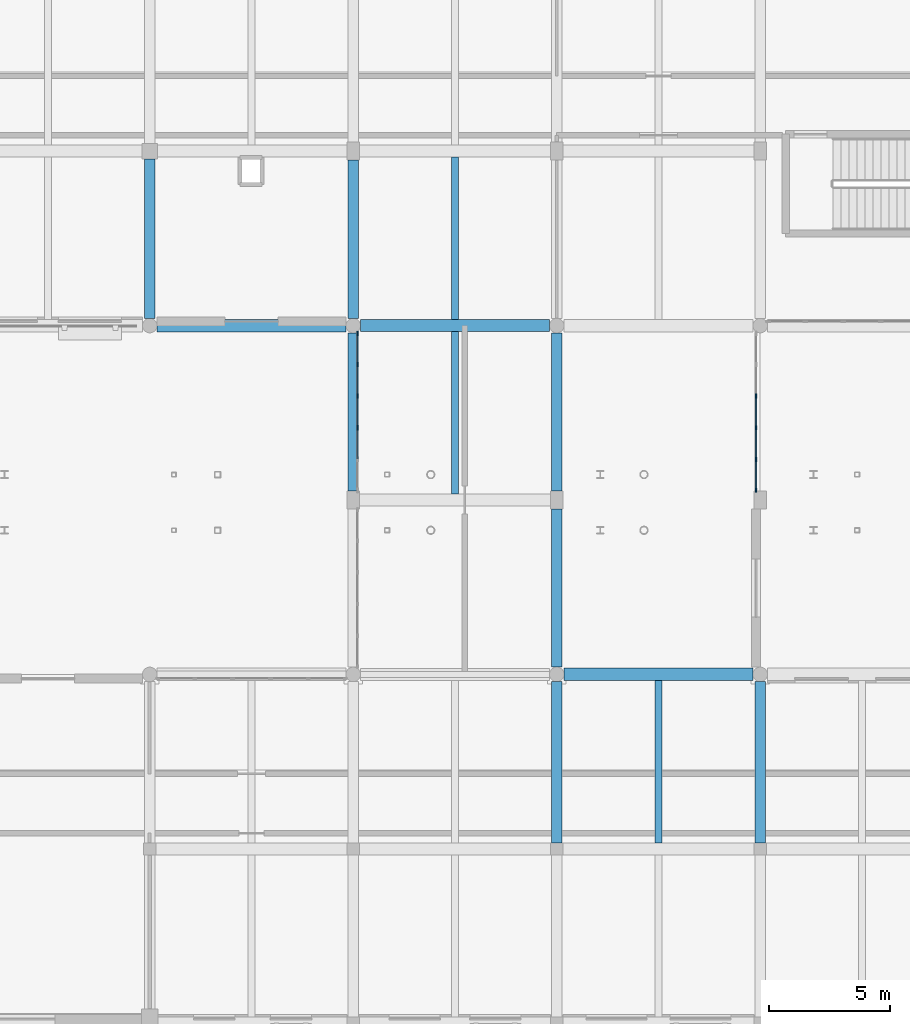
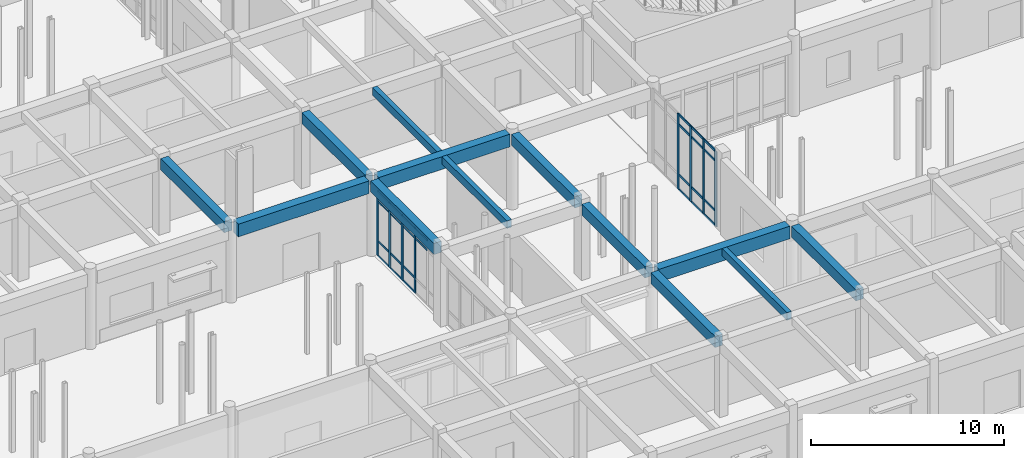
# One storey, part 39 of 121: 34 members, 13 beams, 2 elements without a shape of their own.
"""IFC4 building model written with IfcOpenShell, lengths in metres."""

from ifc_helpers import new_model, si_unit, direction, frame, origin, origin_2d, place, context, subcontext, project, spatial, rectangle, extrude, material, material_profile, profile_set, type_object, element, aggregate, save


model = new_model("IFC4")

# Units and contexts
model_context = context("Model", 3, precision=1e-05, world=origin(), true_north=direction((0.0, 1.0)))
body_context = subcontext(model_context, "Body", "Model", "MODEL_VIEW")
ifc_project = project(units=[si_unit("LENGTHUNIT", "METRE"), si_unit("AREAUNIT", "SQUARE_METRE"), si_unit("VOLUMEUNIT", "CUBIC_METRE"), si_unit("PLANEANGLEUNIT", "RADIAN"), si_unit("MASSUNIT", "GRAM", prefix="KILO")], contexts=[model_context])

# Site, building, storey
site_placement = place(None, origin())
site = spatial("IfcSite", under=ifc_project, at=site_placement, CompositionType="ELEMENT")
building_placement = place(site_placement, origin())
building = spatial("IfcBuilding", under=site, at=building_placement, Name="Malvenik Polytechnic", CompositionType="ELEMENT")
storey_placement = place(building_placement, origin())
storey = spatial("IfcBuildingStorey", under=building, at=storey_placement, Name="L00", CompositionType="ELEMENT", Elevation=0.0)

# Curtain wall, members
ifc_material_1 = material(Name="Anodised aluminium 6060-T6", Category="aluminium")
curtain_wall_type_1 = type_object("IfcCurtainWallType", Name="ARC-CW-CW-13", PredefinedType="NOTDEFINED", material=ifc_material_1)
curtain_wall_1_placement = place(storey_placement, origin())
curtain_wall_1 = element("IfcCurtainWall", 1, at=curtain_wall_1_placement, inside=storey, type_object=curtain_wall_type_1, Name="Unitised Curtain Wall CW-13 L00 #16", PredefinedType="NOTDEFINED")
ifc_material_2 = material(Name="Anodised aluminium", Category="aluminium")
ifc_material_profile_1 = material_profile(ifc_material_2, rectangle(XDim=0.06005859375, YDim=0.179931640625, at=origin_2d()), Name="ALU MULLION 60x180")
ifc_profile_set_1 = profile_set([ifc_material_profile_1], Name="Anodised aluminium")
member_type_1 = type_object("IfcMemberType", Name="ARC-CWM-180", PredefinedType="MULLION", material=ifc_profile_set_1)
member_1_placement = place(storey_placement, frame((92.22998046875, 47.490478515625, 0.0), z_axis=(0.0, 0.0, 1.0), x_axis=(1.0, 0.0, 0.0)))
member_1 = element("IfcMember", 2, at=member_1_placement, type_object=member_type_1, Name="CW-13 mullion 3", PredefinedType="MULLION", context=body_context, shape_type="SweptSolid", body=[
    extrude(rectangle(XDim=0.06005859375, YDim=0.179931640625, at=origin_2d()), origin(), (0.0, 0.0, 1.0), 4.760009765625),
])
member_2_placement = place(storey_placement, frame((92.22998046875, 46.1845703125, 0.0), z_axis=(0.0, 0.0, 1.0), x_axis=(1.0, 0.0, 0.0)))
member_2 = element("IfcMember", 3, at=member_2_placement, type_object=member_type_1, Name="CW-13 mullion 4", PredefinedType="MULLION", context=body_context, shape_type="SweptSolid", body=[
    extrude(rectangle(XDim=0.06005859375, YDim=0.179931640625, at=origin_2d()), origin(), (0.0, 0.0, 1.0), 4.760009765625),
])
member_3_placement = place(storey_placement, frame((92.22998046875, 44.87890625, 0.0), z_axis=(0.0, 0.0, 1.0), x_axis=(1.0, 0.0, 0.0)))
member_3 = element("IfcMember", 4, at=member_3_placement, type_object=member_type_1, Name="CW-13 mullion 5", PredefinedType="MULLION", context=body_context, shape_type="SweptSolid", body=[
    extrude(rectangle(XDim=0.06005859375, YDim=0.179931640625, at=origin_2d()), origin(), (0.0, 0.0, 1.0), 4.760009765625),
])
member_4_placement = place(storey_placement, frame((92.22998046875, 43.60302734375, 0.0), z_axis=(0.0, 0.0, 1.0), x_axis=(1.0, 0.0, 0.0)))
member_4 = element("IfcMember", 5, at=member_4_placement, type_object=member_type_1, Name="CW-13 mullion 6", PredefinedType="MULLION", context=body_context, shape_type="SweptSolid", body=[
    extrude(rectangle(XDim=0.06005859375, YDim=0.179931640625, at=origin_2d()), origin(), (0.0, 0.0, 1.0), 4.760009765625),
])

curtain_wall_type_2 = type_object("IfcCurtainWallType", Name="ARC-CW-CW-04", PredefinedType="NOTDEFINED", material=ifc_material_1)
curtain_wall_2_placement = place(storey_placement, origin())
curtain_wall_2 = element("IfcCurtainWall", 6, at=curtain_wall_2_placement, inside=storey, type_object=curtain_wall_type_2, Name="Unitised Curtain Wall CW-04 L00 #3", PredefinedType="NOTDEFINED")
ifc_material_profile_2 = material_profile(ifc_material_2, rectangle(XDim=0.06005859375, YDim=0.199951171875, at=origin_2d()), Name="ALU MULLION 60x200")
ifc_profile_set_2 = profile_set([ifc_material_profile_2], Name="Anodised aluminium")
member_type_2 = type_object("IfcMemberType", Name="ARC-CWM-200", PredefinedType="MULLION", material=ifc_profile_set_2)
member_5_placement = place(storey_placement, frame((75.77001953125, 46.1845703125, 0.0), z_axis=(0.0, 0.0, 1.0), x_axis=(-1.0, 0.0, 0.0)))
member_5 = element("IfcMember", 7, at=member_5_placement, type_object=member_type_2, Name="CW-04 mullion 3", PredefinedType="MULLION", context=body_context, shape_type="SweptSolid", body=[
    extrude(rectangle(XDim=0.06005859375, YDim=0.199951171875, at=origin_2d()), origin(), (0.0, 0.0, 1.0), 4.110107421875),
])
member_6_placement = place(storey_placement, frame((75.77001953125, 47.490478515625, 0.0), z_axis=(0.0, 0.0, 1.0), x_axis=(-1.0, 0.0, 0.0)))
member_6 = element("IfcMember", 8, at=member_6_placement, type_object=member_type_2, Name="CW-04 mullion 4", PredefinedType="MULLION", context=body_context, shape_type="SweptSolid", body=[
    extrude(rectangle(XDim=0.06005859375, YDim=0.199951171875, at=origin_2d()), origin(), (0.0, 0.0, 1.0), 4.110107421875),
])
member_7_placement = place(storey_placement, frame((75.77001953125, 48.796142578125, 0.0), z_axis=(0.0, 0.0, 1.0), x_axis=(-1.0, 0.0, 0.0)))
member_7 = element("IfcMember", 9, at=member_7_placement, type_object=member_type_2, Name="CW-04 mullion 5", PredefinedType="MULLION", context=body_context, shape_type="SweptSolid", body=[
    extrude(rectangle(XDim=0.06005859375, YDim=0.199951171875, at=origin_2d()), origin(), (0.0, 0.0, 1.0), 4.110107421875),
])
member_8_placement = place(storey_placement, frame((75.77001953125, 50.072021484375, 0.0), z_axis=(0.0, 0.0, 1.0), x_axis=(-1.0, 0.0, 0.0)))
member_8 = element("IfcMember", 10, at=member_8_placement, type_object=member_type_2, Name="CW-04 mullion 6", PredefinedType="MULLION", context=body_context, shape_type="SweptSolid", body=[
    extrude(rectangle(XDim=0.06005859375, YDim=0.199951171875, at=origin_2d()), origin(), (0.0, 0.0, 1.0), 4.110107421875),
])
ifc_material_profile_3 = material_profile(ifc_material_2, rectangle(XDim=0.06005859375, YDim=0.1201171875, at=origin_2d()), Name="ALU TRANSOM 60x120")
ifc_profile_set_3 = profile_set([ifc_material_profile_3], Name="Anodised aluminium")
member_type_3 = type_object("IfcMemberType", Name="ARC-CWT-120", PredefinedType="USERDEFINED", material=ifc_profile_set_3)
member_9_placement = place(storey_placement, frame((75.77001953125, 44.90869140625, 3.4599609375), z_axis=(0.0, 1.0, 0.0), x_axis=(-1.0, 0.0, 0.0)))
member_9 = element("IfcMember", 11, at=member_9_placement, type_object=member_type_3, Name="CW-04 transom 2.3", ObjectType="TRANSOM", PredefinedType="USERDEFINED", context=body_context, shape_type="SweptSolid", body=[
    extrude(rectangle(XDim=0.06005859375, YDim=0.1201171875, at=origin_2d()), origin(), (0.0, 0.0, 1.0), 1.245849609375),
])
member_10_placement = place(storey_placement, frame((75.77001953125, 44.90869140625, 4.080078125), z_axis=(0.0, 1.0, 0.0), x_axis=(-1.0, 0.0, 0.0)))
member_10 = element("IfcMember", 12, at=member_10_placement, type_object=member_type_3, Name="CW-04 transom 2.4", ObjectType="TRANSOM", PredefinedType="USERDEFINED", context=body_context, shape_type="SweptSolid", body=[
    extrude(rectangle(XDim=0.06005859375, YDim=0.1201171875, at=origin_2d()), origin(), (0.0, 0.0, 1.0), 1.245849609375),
])
member_11_placement = place(storey_placement, frame((75.77001953125, 46.214599609375, 0.030029296875), z_axis=(0.0, 1.0, 0.0), x_axis=(-1.0, 0.0, 0.0)))
member_11 = element("IfcMember", 13, at=member_11_placement, type_object=member_type_3, Name="CW-04 transom 3.1", ObjectType="TRANSOM", PredefinedType="USERDEFINED", context=body_context, shape_type="SweptSolid", body=[
    extrude(rectangle(XDim=0.06005859375, YDim=0.1201171875, at=origin_2d()), origin(), (0.0, 0.0, 1.0), 1.245849609375),
])
member_12_placement = place(storey_placement, frame((75.77001953125, 46.214599609375, 0.949951171875), z_axis=(0.0, 1.0, 0.0), x_axis=(-1.0, 0.0, 0.0)))
member_12 = element("IfcMember", 14, at=member_12_placement, type_object=member_type_3, Name="CW-04 transom 3.2", ObjectType="TRANSOM", PredefinedType="USERDEFINED", context=body_context, shape_type="SweptSolid", body=[
    extrude(rectangle(XDim=0.06005859375, YDim=0.1201171875, at=origin_2d()), origin(), (0.0, 0.0, 1.0), 1.245849609375),
])
member_13_placement = place(storey_placement, frame((75.77001953125, 46.214599609375, 3.4599609375), z_axis=(0.0, 1.0, 0.0), x_axis=(-1.0, 0.0, 0.0)))
member_13 = element("IfcMember", 15, at=member_13_placement, type_object=member_type_3, Name="CW-04 transom 3.3", ObjectType="TRANSOM", PredefinedType="USERDEFINED", context=body_context, shape_type="SweptSolid", body=[
    extrude(rectangle(XDim=0.06005859375, YDim=0.1201171875, at=origin_2d()), origin(), (0.0, 0.0, 1.0), 1.245849609375),
])
member_14_placement = place(storey_placement, frame((75.77001953125, 46.214599609375, 4.080078125), z_axis=(0.0, 1.0, 0.0), x_axis=(-1.0, 0.0, 0.0)))
member_14 = element("IfcMember", 16, at=member_14_placement, type_object=member_type_3, Name="CW-04 transom 3.4", ObjectType="TRANSOM", PredefinedType="USERDEFINED", context=body_context, shape_type="SweptSolid", body=[
    extrude(rectangle(XDim=0.06005859375, YDim=0.1201171875, at=origin_2d()), origin(), (0.0, 0.0, 1.0), 1.245849609375),
])
member_15_placement = place(storey_placement, frame((75.77001953125, 47.5205078125, 0.030029296875), z_axis=(0.0, 1.0, 0.0), x_axis=(-1.0, 0.0, 0.0)))
member_15 = element("IfcMember", 17, at=member_15_placement, type_object=member_type_3, Name="CW-04 transom 4.1", ObjectType="TRANSOM", PredefinedType="USERDEFINED", context=body_context, shape_type="SweptSolid", body=[
    extrude(rectangle(XDim=0.06005859375, YDim=0.1201171875, at=origin_2d()), origin(), (0.0, 0.0, 1.0), 1.24560546875),
])
member_16_placement = place(storey_placement, frame((75.77001953125, 47.5205078125, 0.949951171875), z_axis=(0.0, 1.0, 0.0), x_axis=(-1.0, 0.0, 0.0)))
member_16 = element("IfcMember", 18, at=member_16_placement, type_object=member_type_3, Name="CW-04 transom 4.2", ObjectType="TRANSOM", PredefinedType="USERDEFINED", context=body_context, shape_type="SweptSolid", body=[
    extrude(rectangle(XDim=0.06005859375, YDim=0.1201171875, at=origin_2d()), origin(), (0.0, 0.0, 1.0), 1.24560546875),
])
member_17_placement = place(storey_placement, frame((75.77001953125, 47.5205078125, 3.4599609375), z_axis=(0.0, 1.0, 0.0), x_axis=(-1.0, 0.0, 0.0)))
member_17 = element("IfcMember", 19, at=member_17_placement, type_object=member_type_3, Name="CW-04 transom 4.3", ObjectType="TRANSOM", PredefinedType="USERDEFINED", context=body_context, shape_type="SweptSolid", body=[
    extrude(rectangle(XDim=0.06005859375, YDim=0.1201171875, at=origin_2d()), origin(), (0.0, 0.0, 1.0), 1.24560546875),
])
member_18_placement = place(storey_placement, frame((75.77001953125, 47.5205078125, 4.080078125), z_axis=(0.0, 1.0, 0.0), x_axis=(-1.0, 0.0, 0.0)))
member_18 = element("IfcMember", 20, at=member_18_placement, type_object=member_type_3, Name="CW-04 transom 4.4", ObjectType="TRANSOM", PredefinedType="USERDEFINED", context=body_context, shape_type="SweptSolid", body=[
    extrude(rectangle(XDim=0.06005859375, YDim=0.1201171875, at=origin_2d()), origin(), (0.0, 0.0, 1.0), 1.24560546875),
])
member_19_placement = place(storey_placement, frame((75.77001953125, 48.826171875, 0.030029296875), z_axis=(0.0, 1.0, 0.0), x_axis=(-1.0, 0.0, 0.0)))
member_19 = element("IfcMember", 21, at=member_19_placement, type_object=member_type_3, Name="CW-04 transom 5.1", ObjectType="TRANSOM", PredefinedType="USERDEFINED", context=body_context, shape_type="SweptSolid", body=[
    extrude(rectangle(XDim=0.06005859375, YDim=0.1201171875, at=origin_2d()), origin(), (0.0, 0.0, 1.0), 1.2158203125),
])
member_20_placement = place(storey_placement, frame((75.77001953125, 48.826171875, 0.949951171875), z_axis=(0.0, 1.0, 0.0), x_axis=(-1.0, 0.0, 0.0)))
member_20 = element("IfcMember", 22, at=member_20_placement, type_object=member_type_3, Name="CW-04 transom 5.2", ObjectType="TRANSOM", PredefinedType="USERDEFINED", context=body_context, shape_type="SweptSolid", body=[
    extrude(rectangle(XDim=0.06005859375, YDim=0.1201171875, at=origin_2d()), origin(), (0.0, 0.0, 1.0), 1.2158203125),
])
member_21_placement = place(storey_placement, frame((75.77001953125, 48.826171875, 3.4599609375), z_axis=(0.0, 1.0, 0.0), x_axis=(-1.0, 0.0, 0.0)))
member_21 = element("IfcMember", 23, at=member_21_placement, type_object=member_type_3, Name="CW-04 transom 5.3", ObjectType="TRANSOM", PredefinedType="USERDEFINED", context=body_context, shape_type="SweptSolid", body=[
    extrude(rectangle(XDim=0.06005859375, YDim=0.1201171875, at=origin_2d()), origin(), (0.0, 0.0, 1.0), 1.2158203125),
])
member_22_placement = place(storey_placement, frame((75.77001953125, 48.826171875, 4.080078125), z_axis=(0.0, 1.0, 0.0), x_axis=(-1.0, 0.0, 0.0)))
member_22 = element("IfcMember", 24, at=member_22_placement, type_object=member_type_3, Name="CW-04 transom 5.4", ObjectType="TRANSOM", PredefinedType="USERDEFINED", context=body_context, shape_type="SweptSolid", body=[
    extrude(rectangle(XDim=0.06005859375, YDim=0.1201171875, at=origin_2d()), origin(), (0.0, 0.0, 1.0), 1.2158203125),
])
aggregate(curtain_wall_2, [member_5, member_6, member_7, member_8, member_9, member_10, member_11, member_12, member_13, member_14, member_15, member_16, member_17, member_18, member_19, member_20, member_21, member_22])

# Member
ifc_material_profile_4 = material_profile(ifc_material_2, rectangle(XDim=0.06005859375, YDim=0.139892578125, at=origin_2d()), Name="ALU TRANSOM 60x140")
ifc_profile_set_4 = profile_set([ifc_material_profile_4], Name="Anodised aluminium")
member_type_4 = type_object("IfcMemberType", Name="ARC-CWT-140", PredefinedType="USERDEFINED", material=ifc_profile_set_4)
member_23_placement = place(storey_placement, frame((92.22998046875, 47.46044921875, 0.030029296875), z_axis=(0.0, -1.0, 0.0), x_axis=(1.0, 0.0, 0.0)))
member_23 = element("IfcMember", 25, at=member_23_placement, type_object=member_type_4, Name="CW-13 transom 3.1", ObjectType="TRANSOM", PredefinedType="USERDEFINED", context=body_context, shape_type="SweptSolid", body=[
    extrude(rectangle(XDim=0.06005859375, YDim=0.139892578125, at=origin_2d()), origin(), (0.0, 0.0, 1.0), 1.245849609375),
])

member_24_placement = place(storey_placement, frame((92.22998046875, 47.46044921875, 0.949951171875), z_axis=(0.0, -1.0, 0.0), x_axis=(1.0, 0.0, 0.0)))
member_24 = element("IfcMember", 26, at=member_24_placement, type_object=member_type_4, Name="CW-13 transom 3.2", ObjectType="TRANSOM", PredefinedType="USERDEFINED", context=body_context, shape_type="SweptSolid", body=[
    extrude(rectangle(XDim=0.06005859375, YDim=0.139892578125, at=origin_2d()), origin(), (0.0, 0.0, 1.0), 1.245849609375),
])

member_25_placement = place(storey_placement, frame((92.22998046875, 47.46044921875, 4.110107421875), z_axis=(0.0, -1.0, 0.0), x_axis=(1.0, 0.0, 0.0)))
member_25 = element("IfcMember", 27, at=member_25_placement, type_object=member_type_4, Name="CW-13 transom 3.3", ObjectType="TRANSOM", PredefinedType="USERDEFINED", context=body_context, shape_type="SweptSolid", body=[
    extrude(rectangle(XDim=0.06005859375, YDim=0.139892578125, at=origin_2d()), origin(), (0.0, 0.0, 1.0), 1.245849609375),
])

member_26_placement = place(storey_placement, frame((92.22998046875, 47.46044921875, 4.72998046875), z_axis=(0.0, -1.0, 0.0), x_axis=(1.0, 0.0, 0.0)))
member_26 = element("IfcMember", 28, at=member_26_placement, type_object=member_type_4, Name="CW-13 transom 3.4", ObjectType="TRANSOM", PredefinedType="USERDEFINED", context=body_context, shape_type="SweptSolid", body=[
    extrude(rectangle(XDim=0.06005859375, YDim=0.139892578125, at=origin_2d()), origin(), (0.0, 0.0, 1.0), 1.245849609375),
])

member_27_placement = place(storey_placement, frame((92.22998046875, 46.154541015625, 0.030029296875), z_axis=(0.0, -1.0, 0.0), x_axis=(1.0, 0.0, 0.0)))
member_27 = element("IfcMember", 29, at=member_27_placement, type_object=member_type_4, Name="CW-13 transom 4.1", ObjectType="TRANSOM", PredefinedType="USERDEFINED", context=body_context, shape_type="SweptSolid", body=[
    extrude(rectangle(XDim=0.06005859375, YDim=0.139892578125, at=origin_2d()), origin(), (0.0, 0.0, 1.0), 1.245849609375),
])

member_28_placement = place(storey_placement, frame((92.22998046875, 46.154541015625, 0.949951171875), z_axis=(0.0, -1.0, 0.0), x_axis=(1.0, 0.0, 0.0)))
member_28 = element("IfcMember", 30, at=member_28_placement, type_object=member_type_4, Name="CW-13 transom 4.2", ObjectType="TRANSOM", PredefinedType="USERDEFINED", context=body_context, shape_type="SweptSolid", body=[
    extrude(rectangle(XDim=0.06005859375, YDim=0.139892578125, at=origin_2d()), origin(), (0.0, 0.0, 1.0), 1.245849609375),
])

member_29_placement = place(storey_placement, frame((92.22998046875, 46.154541015625, 4.110107421875), z_axis=(0.0, -1.0, 0.0), x_axis=(1.0, 0.0, 0.0)))
member_29 = element("IfcMember", 31, at=member_29_placement, type_object=member_type_4, Name="CW-13 transom 4.3", ObjectType="TRANSOM", PredefinedType="USERDEFINED", context=body_context, shape_type="SweptSolid", body=[
    extrude(rectangle(XDim=0.06005859375, YDim=0.139892578125, at=origin_2d()), origin(), (0.0, 0.0, 1.0), 1.245849609375),
])

member_30_placement = place(storey_placement, frame((92.22998046875, 46.154541015625, 4.72998046875), z_axis=(0.0, -1.0, 0.0), x_axis=(1.0, 0.0, 0.0)))
member_30 = element("IfcMember", 32, at=member_30_placement, type_object=member_type_4, Name="CW-13 transom 4.4", ObjectType="TRANSOM", PredefinedType="USERDEFINED", context=body_context, shape_type="SweptSolid", body=[
    extrude(rectangle(XDim=0.06005859375, YDim=0.139892578125, at=origin_2d()), origin(), (0.0, 0.0, 1.0), 1.245849609375),
])

member_31_placement = place(storey_placement, frame((92.22998046875, 44.848876953125, 0.030029296875), z_axis=(0.0, -1.0, 0.0), x_axis=(1.0, 0.0, 0.0)))
member_31 = element("IfcMember", 33, at=member_31_placement, type_object=member_type_4, Name="CW-13 transom 5.1", ObjectType="TRANSOM", PredefinedType="USERDEFINED", context=body_context, shape_type="SweptSolid", body=[
    extrude(rectangle(XDim=0.06005859375, YDim=0.139892578125, at=origin_2d()), origin(), (0.0, 0.0, 1.0), 1.2158203125),
])

member_32_placement = place(storey_placement, frame((92.22998046875, 44.848876953125, 0.949951171875), z_axis=(0.0, -1.0, 0.0), x_axis=(1.0, 0.0, 0.0)))
member_32 = element("IfcMember", 34, at=member_32_placement, type_object=member_type_4, Name="CW-13 transom 5.2", ObjectType="TRANSOM", PredefinedType="USERDEFINED", context=body_context, shape_type="SweptSolid", body=[
    extrude(rectangle(XDim=0.06005859375, YDim=0.139892578125, at=origin_2d()), origin(), (0.0, 0.0, 1.0), 1.2158203125),
])

member_33_placement = place(storey_placement, frame((92.22998046875, 44.848876953125, 4.110107421875), z_axis=(0.0, -1.0, 0.0), x_axis=(1.0, 0.0, 0.0)))
member_33 = element("IfcMember", 35, at=member_33_placement, type_object=member_type_4, Name="CW-13 transom 5.3", ObjectType="TRANSOM", PredefinedType="USERDEFINED", context=body_context, shape_type="SweptSolid", body=[
    extrude(rectangle(XDim=0.06005859375, YDim=0.139892578125, at=origin_2d()), origin(), (0.0, 0.0, 1.0), 1.2158203125),
])

member_34_placement = place(storey_placement, frame((92.22998046875, 44.848876953125, 4.72998046875), z_axis=(0.0, -1.0, 0.0), x_axis=(1.0, 0.0, 0.0)))
member_34 = element("IfcMember", 36, at=member_34_placement, type_object=member_type_4, Name="CW-13 transom 5.4", ObjectType="TRANSOM", PredefinedType="USERDEFINED", context=body_context, shape_type="SweptSolid", body=[
    extrude(rectangle(XDim=0.06005859375, YDim=0.139892578125, at=origin_2d()), origin(), (0.0, 0.0, 1.0), 1.2158203125),
])

aggregate(curtain_wall_1, [member_1, member_2, member_3, member_4, member_23, member_24, member_25, member_26, member_27, member_28, member_29, member_30, member_31, member_32, member_33, member_34])

# Beams
ifc_material_3 = material(Name="Concrete C35/45", Category="concrete")
ifc_material_profile_5 = material_profile(ifc_material_3, rectangle(XDim=0.5, YDim=0.800048828125, at=origin_2d()), Name="RC BM 500x800")
ifc_profile_set_5 = profile_set([ifc_material_profile_5], Name="Concrete C35/45")
beam_type_1 = type_object("IfcBeamType", Name="STR-BM-B-02", PredefinedType="BEAM", material=ifc_profile_set_5)
beam_1_placement = place(storey_placement, frame((75.89794921875, 50.39990234375, 4.419921875), z_axis=(1.0, 0.0, 0.0), x_axis=(0.0, 1.0, 0.0)))
element("IfcBeam", 37, at=beam_1_placement, inside=storey, type_object=beam_type_1, Name="Primary Beam B-02 L00 #578", PredefinedType="BEAM", context=body_context, shape_type="SweptSolid", body=[
    extrude(rectangle(XDim=0.5, YDim=0.800048828125, at=origin_2d()), origin(), (0.0, 0.0, 1.0), 7.803955078125),
])
ifc_material_profile_6 = material_profile(ifc_material_3, rectangle(XDim=0.449951171875, YDim=0.699951171875, at=origin_2d()), Name="RC BM 450x700")
ifc_profile_set_6 = profile_set([ifc_material_profile_6], Name="Concrete C35/45")
beam_type_2 = type_object("IfcBeamType", Name="STR-BM-B-04", PredefinedType="BEAM", material=ifc_profile_set_6)
beam_2_placement = place(storey_placement, frame((67.199951171875, 50.697998046875, 4.469970703125), z_axis=(0.0, 1.0, 0.0), x_axis=(-1.0, 0.0, 0.0)))
element("IfcBeam", 38, at=beam_2_placement, inside=storey, type_object=beam_type_2, Name="Transverse Beam B-04 L00 #760", PredefinedType="BEAM", context=body_context, shape_type="SweptSolid", body=[
    extrude(rectangle(XDim=0.449951171875, YDim=0.699951171875, at=origin_2d()), origin(), (0.0, 0.0, 1.0), 6.5791015625),
])
for number, where, z_axis, x_axis, name in (
    (39, (75.60009765625, 43.572998046875, 4.469970703125), (0.0, 1.0, 0.0), (-1.0, 0.0, 0.0), "Transverse Beam B-04 L00 #769"),
    (40, (75.60009765625, 50.697998046875, 4.469970703125), (0.0, 1.0, 0.0), (-1.0, 0.0, 0.0), "Transverse Beam B-04 L00 #770"),
):
    element("IfcBeam", number, at=place(storey_placement, frame(where, z_axis=z_axis, x_axis=x_axis)), inside=storey, type_object=beam_type_2, Name=name, PredefinedType="BEAM", context=body_context, shape_type="SweptSolid", body=[
        extrude(rectangle(XDim=0.449951171875, YDim=0.699951171875, at=origin_2d()), origin(), (0.0, 0.0, 1.0), 6.529052734375),
    ])
beam_3_placement = place(storey_placement, frame((84.0, 29.048095703125, 4.469970703125), z_axis=(0.0, 1.0, 0.0), x_axis=(-1.0, 0.0, 0.0)))
element("IfcBeam", 41, at=beam_3_placement, inside=storey, type_object=beam_type_2, Name="Transverse Beam B-04 L00 #780", PredefinedType="BEAM", context=body_context, shape_type="SweptSolid", body=[
    extrude(rectangle(XDim=0.449951171875, YDim=0.699951171875, at=origin_2d()), origin(), (0.0, 0.0, 1.0), 6.65380859375),
])
beam_4_placement = place(storey_placement, frame((84.0, 36.298095703125, 4.469970703125), z_axis=(0.0, 1.0, 0.0), x_axis=(-1.0, 0.0, 0.0)))
element("IfcBeam", 42, at=beam_4_placement, inside=storey, type_object=beam_type_2, Name="Transverse Beam B-04 L00 #781", PredefinedType="BEAM", context=body_context, shape_type="SweptSolid", body=[
    extrude(rectangle(XDim=0.449951171875, YDim=0.699951171875, at=origin_2d()), origin(), (0.0, 0.0, 1.0), 6.52880859375),
])
beam_5_placement = place(storey_placement, frame((84.0, 43.572998046875, 4.469970703125), z_axis=(0.0, 1.0, 0.0), x_axis=(-1.0, 0.0, 0.0)))
element("IfcBeam", 43, at=beam_5_placement, inside=storey, type_object=beam_type_2, Name="Transverse Beam B-04 L00 #782", PredefinedType="BEAM", context=body_context, shape_type="SweptSolid", body=[
    extrude(rectangle(XDim=0.449951171875, YDim=0.699951171875, at=origin_2d()), origin(), (0.0, 0.0, 1.0), 6.529052734375),
])
beam_6_placement = place(storey_placement, frame((92.39990234375, 29.048095703125, 4.469970703125), z_axis=(0.0, 1.0, 0.0), x_axis=(-1.0, 0.0, 0.0)))
element("IfcBeam", 44, at=beam_6_placement, inside=storey, type_object=beam_type_2, Name="Transverse Beam B-04 L00 #795", PredefinedType="BEAM", context=body_context, shape_type="SweptSolid", body=[
    extrude(rectangle(XDim=0.449951171875, YDim=0.699951171875, at=origin_2d()), origin(), (0.0, 0.0, 1.0), 6.65380859375),
])
ifc_material_4 = material(Name="Concrete C30/37", Category="concrete")
ifc_material_profile_7 = material_profile(ifc_material_4, rectangle(XDim=0.280029296875, YDim=0.47998046875, at=origin_2d()), Name="RC JST 280x480")
ifc_profile_set_7 = profile_set([ifc_material_profile_7], Name="Concrete C30/37")
beam_type_3 = type_object("IfcBeamType", Name="STR-BM-J-01", PredefinedType="JOIST", material=ifc_profile_set_7)
for number, where, z_axis, x_axis, name in (
    (45, (79.800048828125, 43.447998046875, 4.580078125), (0.0, 1.0, 0.0), (-1.0, 0.0, 0.0), "Secondary Rib Joist J-01 L00 #901"),
    (46, (79.800048828125, 50.64794921875, 4.580078125), (0.0, 1.0, 0.0), (-1.0, 0.0, 0.0), "Secondary Rib Joist J-01 L00 #902"),
):
    element("IfcBeam", number, at=place(storey_placement, frame(where, z_axis=z_axis, x_axis=x_axis)), inside=storey, type_object=beam_type_3, Name=name, PredefinedType="JOIST", context=body_context, shape_type="SweptSolid", body=[
        extrude(rectangle(XDim=0.280029296875, YDim=0.47998046875, at=origin_2d()), origin(), (0.0, 0.0, 1.0), 6.7041015625),
    ])
beam_7_placement = place(storey_placement, frame((88.199951171875, 29.048095703125, 4.580078125), z_axis=(0.0, 1.0, 0.0), x_axis=(-1.0, 0.0, 0.0)))
element("IfcBeam", 47, at=beam_7_placement, inside=storey, type_object=beam_type_3, Name="Secondary Rib Joist J-01 L00 #909", PredefinedType="JOIST", context=body_context, shape_type="SweptSolid", body=[
    extrude(rectangle(XDim=0.280029296875, YDim=0.47998046875, at=origin_2d()), origin(), (0.0, 0.0, 1.0), 6.69384765625),
])
ifc_material_5 = material(Name="Precast concrete C40/50", Category="concrete")
ifc_material_profile_8 = material_profile(ifc_material_5, rectangle(XDim=0.52001953125, YDim=0.800048828125, at=origin_2d()), Name="PC SPN 520x800")
ifc_profile_set_8 = profile_set([ifc_material_profile_8], Name="Precast concrete C40/50")
beam_type_4 = type_object("IfcBeamType", Name="STR-BM-SP-01", PredefinedType="SPANDREL", material=ifc_profile_set_8)
for number, where, z_axis, x_axis, name in (
    (48, (84.298095703125, 36.0, 4.419921875), (1.0, 0.0, 0.0), (0.0, 1.0, 0.0), "Primary Beam SP-01 L00 #563"),
    (49, (67.498046875, 50.39990234375, 4.419921875), (1.0, 0.0, 0.0), (0.0, 1.0, 0.0), "Primary Beam SP-01 L00 #577"),
):
    element("IfcBeam", number, at=place(storey_placement, frame(where, z_axis=z_axis, x_axis=x_axis)), inside=storey, type_object=beam_type_4, Name=name, PredefinedType="SPANDREL", context=body_context, shape_type="SweptSolid", body=[
        extrude(rectangle(XDim=0.52001953125, YDim=0.800048828125, at=origin_2d()), origin(), (0.0, 0.0, 1.0), 7.803955078125),
    ])

save(model, "model.ifc")
